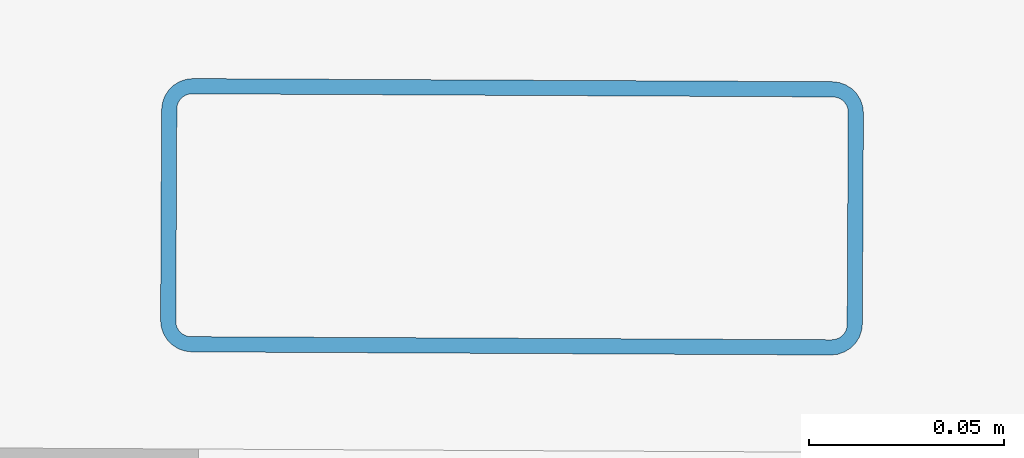
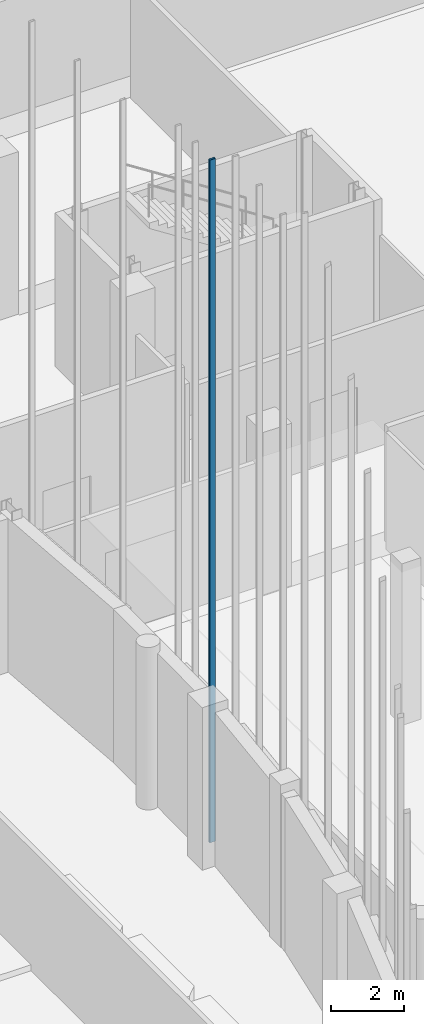
# One storey, part 121 of 372: 1 member.
"""IFC4 building model written with IfcOpenShell, lengths in metres."""

from ifc_helpers import new_model, si_unit, direction, frame, origin, origin_2d, place, context, subcontext, project, spatial, hollow_rectangle, extrude, material, material_profile, profile_set, type_object, element, save


model = new_model("IFC4")

# Units and contexts
model_context = context("Model", 3, precision=1e-05, world=origin(), true_north=direction((0.0, 1.0)))
body_context = subcontext(model_context, "Body", "Model", "MODEL_VIEW")
ifc_project = project(units=[si_unit("LENGTHUNIT", "METRE"), si_unit("AREAUNIT", "SQUARE_METRE"), si_unit("VOLUMEUNIT", "CUBIC_METRE"), si_unit("PLANEANGLEUNIT", "RADIAN"), si_unit("MASSUNIT", "GRAM", prefix="KILO")], contexts=[model_context])

# Site, building, storey
site_placement = place(None, origin())
site = spatial("IfcSite", under=ifc_project, at=site_placement, CompositionType="ELEMENT")
building_placement = place(site_placement, origin())
building = spatial("IfcBuilding", under=site, at=building_placement, Name="Kaelora Sail Theatre", CompositionType="ELEMENT")
storey_placement = place(building_placement, origin())
storey = spatial("IfcBuildingStorey", under=building, at=storey_placement, Name="L00", CompositionType="ELEMENT", Elevation=0.0)

# Member
ifc_material = material(Name="Anodised aluminium 6063-T6", Category="aluminium")
ifc_material_profile = material_profile(ifc_material, hollow_rectangle(XDim=0.070068359375, YDim=0.179931640625, WallThickness=0.00390625, InnerFilletRadius=0.00390625, OuterFilletRadius=0.008056640625, at=origin_2d()), Name="ALU-MULL 70x180x4")
ifc_profile_set = profile_set([ifc_material_profile], Name="Anodised aluminium 6063-T6")
member_type = type_object("IfcMemberType", Name="ARC-MEM-PST-160", PredefinedType="POST", material=ifc_profile_set)
member_placement = place(storey_placement, frame((58.7998046875, 51.141845703125, 0.0), z_axis=(0.0, 0.0, 1.0), x_axis=(-0.004886902454, -0.999988059021, 0.0)))
element("IfcMember", 1, at=member_placement, inside=storey, type_object=member_type, Name="Main Theatre Sail Drum solar louvre vertical support post C2-3", PredefinedType="POST", context=body_context, shape_type="SweptSolid", body=[
    extrude(hollow_rectangle(XDim=0.070068359375, YDim=0.179931640625, WallThickness=0.00390625, InnerFilletRadius=0.00390625, OuterFilletRadius=0.008056640625, at=origin_2d()), origin(), (0.0, 0.0, 1.0), 22.691162109375),
])

save(model, "model.ifc")
